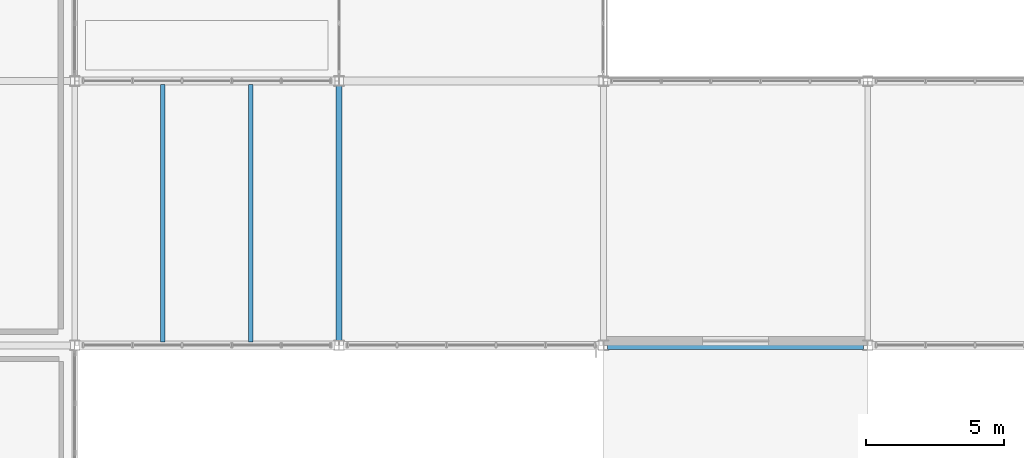
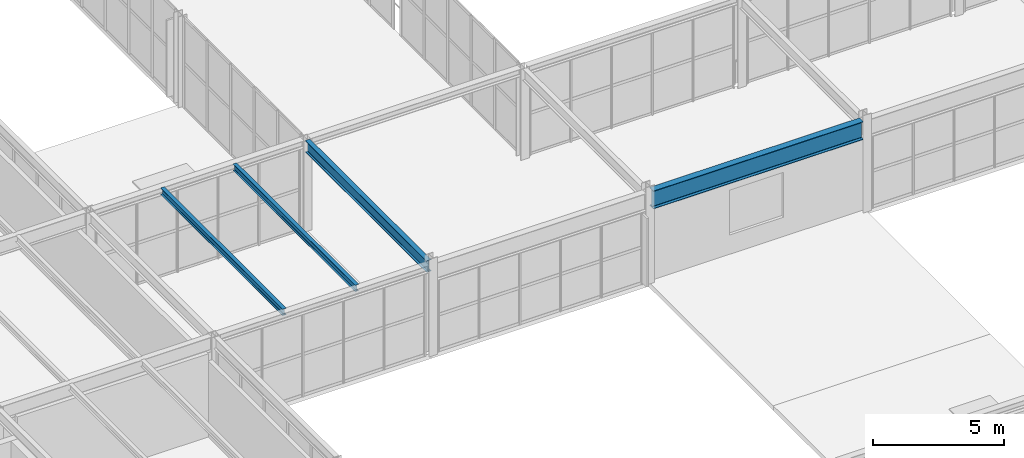
# One storey, part 52 of 170: 4 beams.
"""IFC4 building model written with IfcOpenShell, lengths in metres."""

from ifc_helpers import new_model, si_unit, direction, frame, origin, origin_2d, place, context, subcontext, project, spatial, i_section, extrude, material, material_profile, profile_set, type_object, element, save


model = new_model("IFC4")

# Units and contexts
model_context = context("Model", 3, precision=1e-05, world=origin(), true_north=direction((0.0, 1.0)))
body_context = subcontext(model_context, "Body", "Model", "MODEL_VIEW")
ifc_project = project(units=[si_unit("LENGTHUNIT", "METRE"), si_unit("AREAUNIT", "SQUARE_METRE"), si_unit("VOLUMEUNIT", "CUBIC_METRE"), si_unit("PLANEANGLEUNIT", "RADIAN"), si_unit("MASSUNIT", "GRAM", prefix="KILO")], contexts=[model_context])

# Site, building, storey
site_placement = place(None, origin())
site = spatial("IfcSite", under=ifc_project, at=site_placement, CompositionType="ELEMENT")
building_placement = place(site_placement, origin())
building = spatial("IfcBuilding", under=site, at=building_placement, Name="Coralgate Yard Interchange", CompositionType="ELEMENT")
storey_placement = place(building_placement, frame((0.0, 0.0, 6.0)))
storey = spatial("IfcBuildingStorey", under=building, at=storey_placement, Name="L01", CompositionType="ELEMENT", Elevation=6.0)

# Beams
ifc_material = material(Name="Structural steel S355J2", Category="steel")
ifc_material_profile_1 = material_profile(ifc_material, i_section(OverallWidth=0.209228515625, OverallDepth=0.533203125, WebThickness=0.010009765625, FlangeThickness=0.015625, FilletRadius=0.0126953125, at=origin_2d()), Name="UB 533x210x92")
ifc_profile_set_1 = profile_set([ifc_material_profile_1], Name="Structural steel S355J2")
beam_type_1 = type_object("IfcBeamType", Name="BM-SB-1", PredefinedType="BEAM", material=ifc_profile_set_1)
beam_1_placement = place(storey_placement, frame((38.39990234375, 38.55419921875, 3.9833984375), z_axis=(0.0, 1.0, 0.0), x_axis=(-1.0, 0.0, 0.0)))
element("IfcBeam", 1, at=beam_1_placement, inside=storey, type_object=beam_type_1, Name="L01 primary grid girder X4 Y4-5", PredefinedType="BEAM", context=body_context, shape_type="SweptSolid", body=[
    extrude(i_section(OverallWidth=0.209228515625, OverallDepth=0.533203125, WebThickness=0.010009765625, FlangeThickness=0.015625, FilletRadius=0.0126953125, at=origin_2d()), origin(), (0.0, 0.0, 1.0), 9.291748046875),
])
ifc_material_profile_2 = material_profile(ifc_material, i_section(OverallWidth=0.29248046875, OverallDepth=0.8408203125, WebThickness=0.0146484375, FlangeThickness=0.021728515625, FilletRadius=0.017822265625, at=origin_2d()), Name="UB 838x292x194")
ifc_profile_set_2 = profile_set([ifc_material_profile_2], Name="Structural steel S355J2")
beam_type_2 = type_object("IfcBeamType", Name="BM-SG-2", PredefinedType="BEAM", material=ifc_profile_set_2)
beam_2_placement = place(storey_placement, frame((48.15625, 38.39990234375, 3.82958984375), z_axis=(1.0, 0.0, 0.0), x_axis=(0.0, 1.0, 0.0)))
element("IfcBeam", 2, at=beam_2_placement, inside=storey, type_object=beam_type_2, Name="L01 primary grid beam Y4 X5-6", PredefinedType="BEAM", context=body_context, shape_type="SweptSolid", body=[
    extrude(i_section(OverallWidth=0.29248046875, OverallDepth=0.8408203125, WebThickness=0.0146484375, FlangeThickness=0.021728515625, FilletRadius=0.017822265625, at=origin_2d()), origin(), (0.0, 0.0, 1.0), 9.287353515625),
])
ifc_material_profile_3 = material_profile(ifc_material, i_section(OverallWidth=0.1650390625, OverallDepth=0.303466796875, WebThickness=0.006103515625, FlangeThickness=0.01025390625, FilletRadius=0.0087890625, at=origin_2d()), Name="UB 305x165x40")
ifc_profile_set_3 = profile_set([ifc_material_profile_3], Name="Structural steel S355J2")
beam_type_3 = type_object("IfcBeamType", Name="BM-SJ-1", PredefinedType="JOIST", material=ifc_profile_set_3)
for number, where, z_axis, x_axis, name in (
    (3, (32.0, 38.52001953125, 4.098388671875), (0.0, 1.0, 0.0), (-1.0, 0.0, 0.0), "L01 composite floor joist 3-4-1"),
    (4, (35.199951171875, 38.52001953125, 4.098388671875), (0.0, 1.0, 0.0), (-1.0, 0.0, 0.0), "L01 composite floor joist 3-4-2"),
):
    element("IfcBeam", number, at=place(storey_placement, frame(where, z_axis=z_axis, x_axis=x_axis)), inside=storey, type_object=beam_type_3, Name=name, PredefinedType="JOIST", context=body_context, shape_type="SweptSolid", body=[
        extrude(i_section(OverallWidth=0.1650390625, OverallDepth=0.303466796875, WebThickness=0.006103515625, FlangeThickness=0.01025390625, FilletRadius=0.0087890625, at=origin_2d()), origin(), (0.0, 0.0, 1.0), 9.35986328125),
    ])

save(model, "model.ifc")
